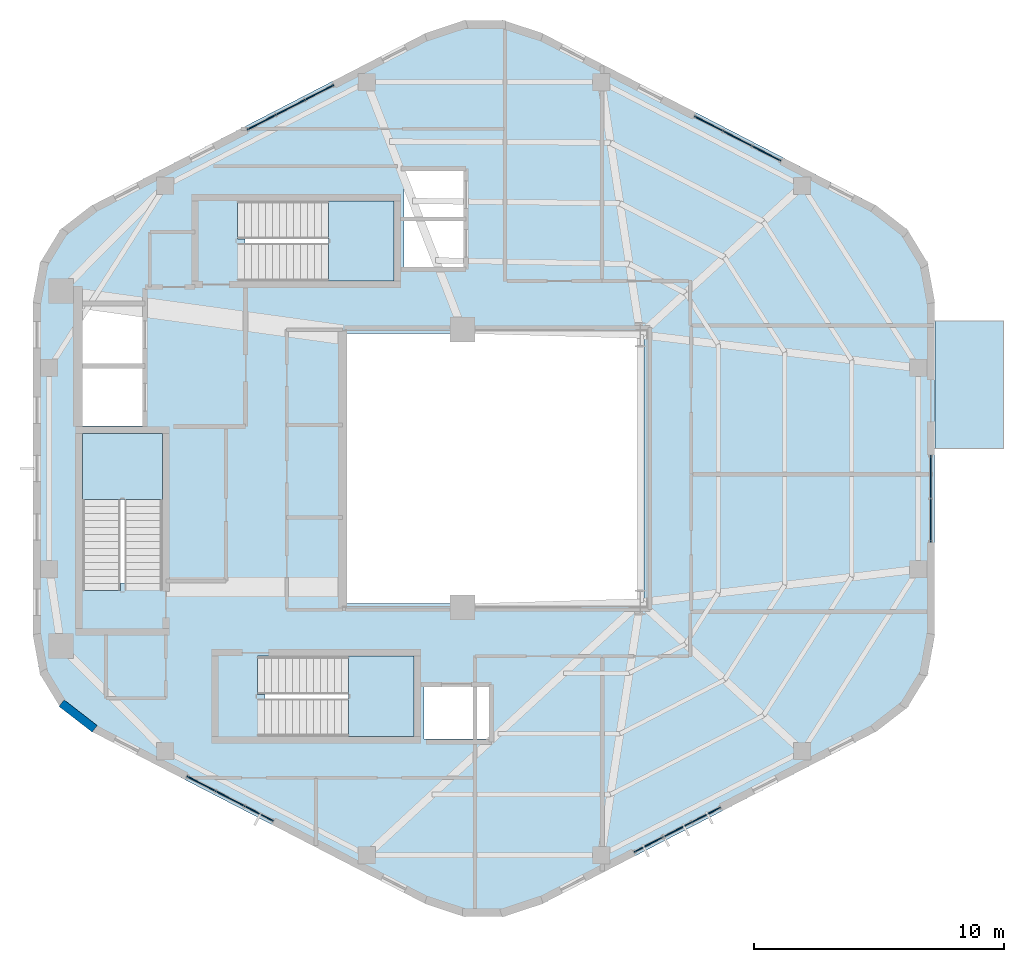
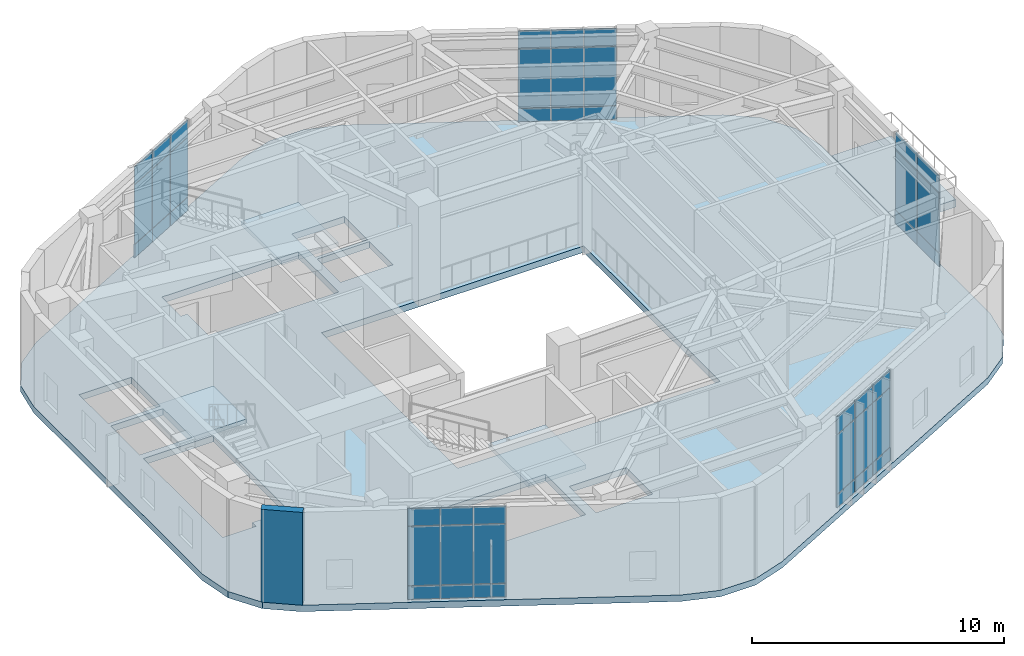
# One storey, part 13 of 19: 42 plates, 5 slabs, 1 wall, 8 elements without a shape of their own.
"""IFC4 building model written with IfcOpenShell, lengths in metres."""

from ifc_helpers import new_model, si_unit, direction, frame, frame_2d, origin, origin_2d, place, context, subcontext, project, spatial, polyline, rectangle, outline, extrude, material, layer, layer_set, type_object, element, aggregate, save


model = new_model("IFC4")

# Units and contexts
model_context = context("Model", 3, precision=1e-05, world=origin(), true_north=direction((0.0, 1.0)))
body_context = subcontext(model_context, "Body", "Model", "MODEL_VIEW")
ifc_project = project(units=[si_unit("LENGTHUNIT", "METRE"), si_unit("AREAUNIT", "SQUARE_METRE"), si_unit("VOLUMEUNIT", "CUBIC_METRE"), si_unit("PLANEANGLEUNIT", "RADIAN"), si_unit("MASSUNIT", "GRAM", prefix="KILO"), si_unit("THERMODYNAMICTEMPERATUREUNIT", "KELVIN"), si_unit("POWERUNIT", "WATT")], contexts=[model_context])

# Site, building, storey
site_placement = place(None, origin())
site = spatial("IfcSite", under=ifc_project, at=site_placement, CompositionType="ELEMENT")
building_placement = place(site_placement, origin())
building = spatial("IfcBuilding", under=site, at=building_placement, Name="Skarre Station Tower", CompositionType="ELEMENT")
storey_placement = place(building_placement, frame((0.0, 0.0, 275.10009765625)))
storey = spatial("IfcBuildingStorey", under=building, at=storey_placement, Name="L75", CompositionType="ELEMENT", Elevation=275.10009765625)

# Curtain wall, plates
ifc_material_1 = material(Name="Thermally Broken Bronze-Anodized Aluminium & Triple Low-E Glass", Category="aluminium")
ifc_layer_1 = layer(ifc_material_1, 0.219970703125, Name="Thermally Broken Bronze-Anodized Aluminium & Triple Low-E Glass")
ifc_layer_set_1 = layer_set([ifc_layer_1], Name="Thermally Broken Bronze-Anodized Aluminium & Triple Low-E Glass")
curtain_wall_type = type_object("IfcCurtainWallType", Name="Observation Deck Panorama Unitised Curtain Wall", PredefinedType="NOTDEFINED", material=ifc_layer_set_1)
curtain_wall_1_placement = place(storey_placement, origin())
curtain_wall_1 = element("IfcCurtainWall", 1, at=curtain_wall_1_placement, inside=storey, type_object=curtain_wall_type, Name="L75 Facet 0 Observatory Curtain Wall", PredefinedType="NOTDEFINED")
ifc_material_2 = material(Name="Insulated Bronze Anodized Aluminium Spandrel", Category="aluminium")
ifc_layer_2 = layer(ifc_material_2, 0.052001953125, Name="Insulated Bronze Anodized Aluminium Spandrel")
ifc_layer_set_2 = layer_set([ifc_layer_2], Name="Insulated Bronze Anodized Aluminium Spandrel")
plate_type_1 = type_object("IfcPlateType", Name="Bronze Insulated Spandrel Sheet Panel 52", PredefinedType="SHEET", material=ifc_layer_set_2)
plate_1_placement = place(storey_placement, frame((42.180908203125, 37.7890625, 0.0517578125), z_axis=(0.0, 0.0, 1.0), x_axis=(0.88848110948, -0.458913192332, 0.0)))
plate_1 = element("IfcPlate", 2, at=plate_1_placement, type_object=plate_type_1, Name="L75 Facet 0 Observatory Curtain Wall Spandrel Panel 1-1", PredefinedType="SHEET", context=body_context, shape_type="SweptSolid", body=[
    extrude(rectangle(XDim=1.282958984375, YDim=0.052001953125, at=origin_2d()), origin(), (0.0, 0.0, 1.0), 0.635986328125),
])
plate_2_placement = place(storey_placement, frame((43.341064453125, 37.18896484375, 0.0517578125), z_axis=(0.0, 0.0, 1.0), x_axis=(0.88848110948, -0.458913192332, 0.0)))
plate_2 = element("IfcPlate", 3, at=plate_2_placement, type_object=plate_type_1, Name="L75 Facet 0 Observatory Curtain Wall Spandrel Panel 2-1", PredefinedType="SHEET", context=body_context, shape_type="SweptSolid", body=[
    extrude(rectangle(XDim=1.282958984375, YDim=0.052001953125, at=origin_2d()), origin(), (0.0, 0.0, 1.0), 0.635986328125),
])
plate_3_placement = place(storey_placement, frame((44.501953125, 36.590087890625, 0.0517578125), z_axis=(0.0, 0.0, 1.0), x_axis=(0.88848110948, -0.458913192332, 0.0)))
plate_3 = element("IfcPlate", 4, at=plate_3_placement, type_object=plate_type_1, Name="L75 Facet 0 Observatory Curtain Wall Spandrel Panel 3-1", PredefinedType="SHEET", context=body_context, shape_type="SweptSolid", body=[
    extrude(rectangle(XDim=1.282958984375, YDim=0.052001953125, at=origin_2d()), origin(), (0.0, 0.0, 1.0), 0.635986328125),
])

curtain_wall_2_placement = place(storey_placement, origin())
curtain_wall_2 = element("IfcCurtainWall", 5, at=curtain_wall_2_placement, inside=storey, type_object=curtain_wall_type, Name="L75 Facet 1 Observatory Curtain Wall", PredefinedType="NOTDEFINED")
plate_4_placement = place(storey_placement, frame((24.30908203125, 37.8349609375, 0.0517578125), z_axis=(0.0, 0.0, 1.0), x_axis=(0.88848110948, 0.458913192332, 0.0)))
plate_4 = element("IfcPlate", 6, at=plate_4_placement, type_object=plate_type_1, Name="L75 Facet 1 Observatory Curtain Wall Spandrel Panel 1-1", PredefinedType="SHEET", context=body_context, shape_type="SweptSolid", body=[
    extrude(rectangle(XDim=1.282958984375, YDim=0.052001953125, at=origin_2d()), origin(), (0.0, 0.0, 1.0), 0.635986328125),
])
plate_5_placement = place(storey_placement, frame((25.470947265625, 38.43408203125, 0.0517578125), z_axis=(0.0, 0.0, 1.0), x_axis=(0.88848110948, 0.458913192332, 0.0)))
plate_5 = element("IfcPlate", 7, at=plate_5_placement, type_object=plate_type_1, Name="L75 Facet 1 Observatory Curtain Wall Spandrel Panel 2-1", PredefinedType="SHEET", context=body_context, shape_type="SweptSolid", body=[
    extrude(rectangle(XDim=1.282958984375, YDim=0.052001953125, at=origin_2d()), origin(), (0.0, 0.0, 1.0), 0.635986328125),
])
plate_6_placement = place(storey_placement, frame((26.631103515625, 39.033935546875, 0.0517578125), z_axis=(0.0, 0.0, 1.0), x_axis=(0.88848110948, 0.458913192332, 0.0)))
plate_6 = element("IfcPlate", 8, at=plate_6_placement, type_object=plate_type_1, Name="L75 Facet 1 Observatory Curtain Wall Spandrel Panel 3-1", PredefinedType="SHEET", context=body_context, shape_type="SweptSolid", body=[
    extrude(rectangle(XDim=1.282958984375, YDim=0.052001953125, at=origin_2d()), origin(), (0.0, 0.0, 1.0), 0.635986328125),
])

curtain_wall_3_placement = place(storey_placement, origin())
curtain_wall_3 = element("IfcCurtainWall", 9, at=curtain_wall_3_placement, inside=storey, type_object=curtain_wall_type, Name="L75 Facet 3 Observatory Curtain Wall", PredefinedType="NOTDEFINED")
plate_7_placement = place(storey_placement, frame((24.219970703125, 10.2109375, 0.0517578125), z_axis=(0.0, 0.0, 1.0), x_axis=(-0.88848110948, 0.458913192332, 0.0)))
plate_7 = element("IfcPlate", 10, at=plate_7_placement, type_object=plate_type_1, Name="L75 Facet 3 Observatory Curtain Wall Spandrel Panel 1-1", PredefinedType="SHEET", context=body_context, shape_type="SweptSolid", body=[
    extrude(rectangle(XDim=1.282958984375, YDim=0.052001953125, at=origin_2d()), origin(), (0.0, 0.0, 1.0), 0.635986328125),
])
plate_8_placement = place(storey_placement, frame((23.05908203125, 10.81103515625, 0.0517578125), z_axis=(0.0, 0.0, 1.0), x_axis=(-0.88848110948, 0.458913192332, 0.0)))
plate_8 = element("IfcPlate", 11, at=plate_8_placement, type_object=plate_type_1, Name="L75 Facet 3 Observatory Curtain Wall Spandrel Panel 2-1", PredefinedType="SHEET", context=body_context, shape_type="SweptSolid", body=[
    extrude(rectangle(XDim=1.282958984375, YDim=0.052001953125, at=origin_2d()), origin(), (0.0, 0.0, 1.0), 0.635986328125),
])
plate_9_placement = place(storey_placement, frame((21.89794921875, 11.409912109375, 0.0517578125), z_axis=(0.0, 0.0, 1.0), x_axis=(-0.88848110948, 0.458913192332, 0.0)))
plate_9 = element("IfcPlate", 12, at=plate_9_placement, type_object=plate_type_1, Name="L75 Facet 3 Observatory Curtain Wall Spandrel Panel 3-1", PredefinedType="SHEET", context=body_context, shape_type="SweptSolid", body=[
    extrude(rectangle(XDim=1.282958984375, YDim=0.052001953125, at=origin_2d()), origin(), (0.0, 0.0, 1.0), 0.635986328125),
])

curtain_wall_4_placement = place(storey_placement, origin())
curtain_wall_4 = element("IfcCurtainWall", 13, at=curtain_wall_4_placement, inside=storey, type_object=curtain_wall_type, Name="L75 Facet 4 Observatory Curtain Wall", PredefinedType="NOTDEFINED")
plate_10_placement = place(storey_placement, frame((42.090087890625, 10.1650390625, 0.0517578125), z_axis=(0.0, 0.0, 1.0), x_axis=(-0.88848110948, -0.458913192332, 0.0)))
plate_10 = element("IfcPlate", 14, at=plate_10_placement, type_object=plate_type_1, Name="L75 Facet 4 Observatory Curtain Wall Spandrel Panel 1-1", PredefinedType="SHEET", context=body_context, shape_type="SweptSolid", body=[
    extrude(rectangle(XDim=1.282958984375, YDim=0.052001953125, at=origin_2d()), origin(), (0.0, 0.0, 1.0), 0.635986328125),
])
plate_11_placement = place(storey_placement, frame((40.929931640625, 9.56591796875, 0.0517578125), z_axis=(0.0, 0.0, 1.0), x_axis=(-0.88848110948, -0.458913192332, 0.0)))
plate_11 = element("IfcPlate", 15, at=plate_11_placement, type_object=plate_type_1, Name="L75 Facet 4 Observatory Curtain Wall Spandrel Panel 2-1", PredefinedType="SHEET", context=body_context, shape_type="SweptSolid", body=[
    extrude(rectangle(XDim=1.282958984375, YDim=0.052001953125, at=origin_2d()), origin(), (0.0, 0.0, 1.0), 0.635986328125),
])
plate_12_placement = place(storey_placement, frame((39.76904296875, 8.966064453125, 0.0517578125), z_axis=(0.0, 0.0, 1.0), x_axis=(-0.88848110948, -0.458913192332, 0.0)))
plate_12 = element("IfcPlate", 16, at=plate_12_placement, type_object=plate_type_1, Name="L75 Facet 4 Observatory Curtain Wall Spandrel Panel 3-1", PredefinedType="SHEET", context=body_context, shape_type="SweptSolid", body=[
    extrude(rectangle(XDim=1.282958984375, YDim=0.052001953125, at=origin_2d()), origin(), (0.0, 0.0, 1.0), 0.635986328125),
])

curtain_wall_5_placement = place(storey_placement, origin())
curtain_wall_5 = element("IfcCurtainWall", 17, at=curtain_wall_5_placement, inside=storey, type_object=curtain_wall_type, Name="L75 Facet 5 Observatory Curtain Wall", PredefinedType="NOTDEFINED")
plate_13_placement = place(storey_placement, frame((51.05810546875, 23.6650390625, 0.0517578125), z_axis=(0.0, 0.0, 1.0), x_axis=(0.0, -1.0, 0.0)))
plate_13 = element("IfcPlate", 18, at=plate_13_placement, type_object=plate_type_1, Name="L75 Facet 5 Observatory Curtain Wall Spandrel Panel 1-1", PredefinedType="SHEET", context=body_context, shape_type="SweptSolid", body=[
    extrude(rectangle(XDim=1.718994140625, YDim=0.052001953125, at=origin_2d()), origin(), (0.0, 0.0, 1.0), 0.635986328125),
])
plate_14_placement = place(storey_placement, frame((51.05810546875, 21.922119140625, 0.0517578125), z_axis=(0.0, 0.0, 1.0), x_axis=(0.0, -1.0, 0.0)))
plate_14 = element("IfcPlate", 19, at=plate_14_placement, type_object=plate_type_1, Name="L75 Facet 5 Observatory Curtain Wall Spandrel Panel 2-1", PredefinedType="SHEET", context=body_context, shape_type="SweptSolid", body=[
    extrude(rectangle(XDim=1.718994140625, YDim=0.052001953125, at=origin_2d()), origin(), (0.0, 0.0, 1.0), 0.635986328125),
])

# Slab
ifc_material_3 = material(Name="Concrete C50/60", Category="concrete")
ifc_layer_3 = layer(ifc_material_3, 0.31005859375, Name="Concrete C50/60")
ifc_layer_set_3 = layer_set([ifc_layer_3], Name="Concrete C50/60")
slab_type_1 = type_object("IfcSlabType", Name="Podium & Plant Structural Slab 310", PredefinedType="FLOOR", material=ifc_layer_set_3)
slab_1_placement = place(storey_placement, frame((0.0, 0.0, -0.31005859375)))
element("IfcSlab", 20, at=slab_1_placement, inside=storey, type_object=slab_type_1, Name="L75 Zone 4 Structural Floor Slab", PredefinedType="FLOOR", context=body_context, shape_type="SweptSolid", body=[
    extrude(outline(polyline([(51.212890625, 30.701904296875), (50.93310546875, 32.222900390625), (50.1279296875, 33.544921875), (48.905029296875, 34.491943359375), (35.508056640625, 41.407958984375), (33.99609375, 41.906005859375), (32.404052734375, 41.906005859375), (30.89208984375, 41.407958984375), (17.4951171875, 34.491943359375), (16.27197265625, 33.544921875), (15.467041015625, 32.222900390625), (15.18701171875, 30.701904296875), (15.18701171875, 17.298095703125), (15.467041015625, 15.777099609375), (16.27197265625, 14.455078125), (17.4951171875, 13.508056640625), (30.89208984375, 6.592041015625), (32.404052734375, 6.093994140625), (33.99609375, 6.093994140625), (35.508056640625, 6.592041015625), (48.905029296875, 13.508056640625), (50.1279296875, 14.455078125), (50.93310546875, 15.777099609375), (51.212890625, 17.298095703125), (51.212890625, 30.701904296875)]), holes=[polyline([(18.669921875, 19.419921875), (18.669921875, 19.123046875), (17.14990234375, 19.123046875), (17.14990234375, 25.39990234375), (20.35009765625, 25.39990234375), (20.35009765625, 19.419921875), (18.669921875, 19.419921875)]), polyline([(24.449951171875, 14.97998046875), (24.153076171875, 14.97998046875), (24.153076171875, 16.5), (30.39990234375, 16.5), (30.39990234375, 13.300048828125), (24.449951171875, 13.300048828125), (24.449951171875, 14.97998046875)]), polyline([(23.64990234375, 33.179931640625), (23.35302734375, 33.179931640625), (23.35302734375, 34.699951171875), (29.60009765625, 34.699951171875), (29.60009765625, 31.5), (23.64990234375, 31.5), (23.64990234375, 33.179931640625)]), polyline([(17.14990234375, 28.0), (19.550048828125, 28.0), (19.550048828125, 25.699951171875), (17.14990234375, 25.699951171875), (17.14990234375, 28.0)]), polyline([(17.14990234375, 30.5), (19.550048828125, 30.5), (19.550048828125, 28.199951171875), (17.14990234375, 28.199951171875), (17.14990234375, 30.5)]), polyline([(30.800048828125, 15.300048828125), (33.39990234375, 15.300048828125), (33.39990234375, 13.199951171875), (30.800048828125, 13.199951171875), (30.800048828125, 15.300048828125)]), polyline([(30.0, 33.89990234375), (32.39990234375, 33.89990234375), (32.39990234375, 32.050048828125), (30.0, 32.050048828125), (30.0, 33.89990234375)]), polyline([(30.0, 35.89990234375), (32.39990234375, 35.89990234375), (32.39990234375, 34.050048828125), (30.0, 34.050048828125), (30.0, 35.89990234375)]), polyline([(27.60009765625, 29.39990234375), (39.60009765625, 29.39990234375), (39.60009765625, 18.60009765625), (27.60009765625, 18.60009765625), (27.60009765625, 29.39990234375)])]), origin(), (0.0, 0.0, 1.0), 0.31005859375),
])

# Stair, slab
ifc_material_4 = material(Name="Concrete C40/50", Category="concrete")
stair_type_1 = type_object("IfcStairType", Name="Reinforced Concrete Exit Stair ST-1", PredefinedType="HALF_TURN_STAIR", material=ifc_material_4)
stair_1_placement = place(storey_placement, origin())
stair_1 = element("IfcStair", 21, at=stair_1_placement, inside=storey, type_object=stair_type_1, Name="L75 Core Exit Stair ST-1", PredefinedType="HALF_TURN_STAIR")
ifc_layer_4 = layer(ifc_material_4, 0.219970703125, Name="Concrete C40/50")
ifc_layer_set_4 = layer_set([ifc_layer_4], Name="Concrete C40/50")
slab_type_2 = type_object("IfcSlabType", Name="Reinforced Concrete Stair & Ramp Landing 220", PredefinedType="LANDING", material=ifc_layer_set_4)
slab_2_placement = place(storey_placement, frame((0.0, 0.0, 2.199951171875)))
slab_2 = element("IfcSlab", 22, at=slab_2_placement, type_object=slab_type_2, Name="ST-1 landing 1", PredefinedType="LANDING", context=body_context, shape_type="SweptSolid", body=[
    extrude(outline(polyline([(20.35009765625, 22.760009765625), (20.35009765625, 25.39990234375), (17.14990234375, 25.39990234375), (17.14990234375, 22.760009765625), (20.35009765625, 22.760009765625)])), origin(), (0.0, 0.0, 1.0), 0.199951171875),
])
aggregate(stair_1, [slab_2])

stair_type_2 = type_object("IfcStairType", Name="Reinforced Concrete Exit Stair ST-2", PredefinedType="HALF_TURN_STAIR", material=ifc_material_4)
stair_2_placement = place(storey_placement, origin())
stair_2 = element("IfcStair", 23, at=stair_2_placement, inside=storey, type_object=stair_type_2, Name="L75 Core Exit Stair ST-2", PredefinedType="HALF_TURN_STAIR")
slab_3_placement = place(storey_placement, frame((0.0, 0.0, 2.199951171875)))
slab_3 = element("IfcSlab", 24, at=slab_3_placement, type_object=slab_type_2, Name="ST-2 landing 1", PredefinedType="LANDING", context=body_context, shape_type="SweptSolid", body=[
    extrude(outline(polyline([(27.7900390625, 13.300048828125), (30.39990234375, 13.300048828125), (30.39990234375, 16.5), (27.7900390625, 16.5), (27.7900390625, 13.300048828125)])), origin(), (0.0, 0.0, 1.0), 0.199951171875),
])
aggregate(stair_2, [slab_3])

stair_type_3 = type_object("IfcStairType", Name="Reinforced Concrete Exit Stair ST-3", PredefinedType="HALF_TURN_STAIR", material=ifc_material_4)
stair_3_placement = place(storey_placement, origin())
stair_3 = element("IfcStair", 25, at=stair_3_placement, inside=storey, type_object=stair_type_3, Name="L75 Core Exit Stair ST-3", PredefinedType="HALF_TURN_STAIR")
slab_4_placement = place(storey_placement, frame((0.0, 0.0, 2.199951171875)))
slab_4 = element("IfcSlab", 26, at=slab_4_placement, type_object=slab_type_2, Name="ST-3 landing 1", PredefinedType="LANDING", context=body_context, shape_type="SweptSolid", body=[
    extrude(outline(polyline([(26.989990234375, 31.5), (29.60009765625, 31.5), (29.60009765625, 34.699951171875), (26.989990234375, 34.699951171875), (26.989990234375, 31.5)])), origin(), (0.0, 0.0, 1.0), 0.199951171875),
])
aggregate(stair_3, [slab_4])

# Slab
ifc_layer_5 = layer(ifc_material_3, 0.419921875, Name="Concrete C50/60")
ifc_layer_set_5 = layer_set([ifc_layer_5], Name="Concrete C50/60")
slab_type_3 = type_object("IfcSlabType", Name="Sky-Garden & Lookout Terrace Slab 360", PredefinedType="FLOOR", material=ifc_layer_set_5)
slab_5_placement = place(storey_placement, frame((0.0, 0.0, -0.360107421875)))
element("IfcSlab", 27, at=slab_5_placement, inside=storey, type_object=slab_type_3, Name="L75 Open Observation Lookout Terrace Deck", PredefinedType="FLOOR", context=body_context, shape_type="SweptSolid", body=[
    extrude(outline(polyline([(51.222900390625, 29.89794921875), (51.222900390625, 24.803955078125), (53.962890625, 24.803955078125), (53.962890625, 29.89794921875), (51.222900390625, 29.89794921875)])), origin(), (0.0, 0.0, 1.0), 0.360107421875),
])

# Plate
ifc_material_5 = material(Name="Low-Iron Triple Insulating Glass Unit", Category="glass")
ifc_layer_6 = layer(ifc_material_5, 0.0439453125, Name="Low-Iron Triple Insulating Glass Unit")
ifc_layer_set_6 = layer_set([ifc_layer_6], Name="Low-Iron Triple Insulating Glass Unit")
plate_type_2 = type_object("IfcPlateType", Name="Triple-Glazed Vision Curtain Panel 44", PredefinedType="CURTAIN_PANEL", material=ifc_layer_set_6)
plate_15_placement = place(storey_placement, frame((42.180908203125, 37.7890625, 0.7119140625), z_axis=(0.0, 0.0, 1.0), x_axis=(0.88848110948, -0.458913192332, 0.0)))
plate_15 = element("IfcPlate", 28, at=plate_15_placement, type_object=plate_type_2, Name="L75 Facet 0 Observatory Curtain Wall Vision Panel 1-2", PredefinedType="CURTAIN_PANEL", context=body_context, shape_type="SweptSolid", body=[
    extrude(rectangle(XDim=1.282958984375, YDim=0.0439453125, at=origin_2d()), origin(), (0.0, 0.0, 1.0), 2.865966796875),
])

plate_16_placement = place(storey_placement, frame((42.180908203125, 37.7890625, 3.60205078125), z_axis=(0.0, 0.0, 1.0), x_axis=(0.88848110948, -0.458913192332, 0.0)))
plate_16 = element("IfcPlate", 29, at=plate_16_placement, type_object=plate_type_2, Name="L75 Facet 0 Observatory Curtain Wall Vision Panel 1-3", PredefinedType="CURTAIN_PANEL", context=body_context, shape_type="SweptSolid", body=[
    extrude(rectangle(XDim=1.282958984375, YDim=0.0439453125, at=origin_2d()), origin(), (0.0, 0.0, 1.0), 0.8359375),
])

plate_17_placement = place(storey_placement, frame((43.341064453125, 37.18896484375, 0.7119140625), z_axis=(0.0, 0.0, 1.0), x_axis=(0.88848110948, -0.458913192332, 0.0)))
plate_17 = element("IfcPlate", 30, at=plate_17_placement, type_object=plate_type_2, Name="L75 Facet 0 Observatory Curtain Wall Vision Panel 2-2", PredefinedType="CURTAIN_PANEL", context=body_context, shape_type="SweptSolid", body=[
    extrude(rectangle(XDim=1.282958984375, YDim=0.0439453125, at=origin_2d()), origin(), (0.0, 0.0, 1.0), 2.865966796875),
])

plate_18_placement = place(storey_placement, frame((43.341064453125, 37.18896484375, 3.60205078125), z_axis=(0.0, 0.0, 1.0), x_axis=(0.88848110948, -0.458913192332, 0.0)))
plate_18 = element("IfcPlate", 31, at=plate_18_placement, type_object=plate_type_2, Name="L75 Facet 0 Observatory Curtain Wall Vision Panel 2-3", PredefinedType="CURTAIN_PANEL", context=body_context, shape_type="SweptSolid", body=[
    extrude(rectangle(XDim=1.282958984375, YDim=0.0439453125, at=origin_2d()), origin(), (0.0, 0.0, 1.0), 0.8359375),
])

plate_19_placement = place(storey_placement, frame((44.501953125, 36.590087890625, 0.7119140625), z_axis=(0.0, 0.0, 1.0), x_axis=(0.88848110948, -0.458913192332, 0.0)))
plate_19 = element("IfcPlate", 32, at=plate_19_placement, type_object=plate_type_2, Name="L75 Facet 0 Observatory Curtain Wall Vision Panel 3-2", PredefinedType="CURTAIN_PANEL", context=body_context, shape_type="SweptSolid", body=[
    extrude(rectangle(XDim=1.282958984375, YDim=0.0439453125, at=origin_2d()), origin(), (0.0, 0.0, 1.0), 2.865966796875),
])

plate_20_placement = place(storey_placement, frame((44.501953125, 36.590087890625, 3.60205078125), z_axis=(0.0, 0.0, 1.0), x_axis=(0.88848110948, -0.458913192332, 0.0)))
plate_20 = element("IfcPlate", 33, at=plate_20_placement, type_object=plate_type_2, Name="L75 Facet 0 Observatory Curtain Wall Vision Panel 3-3", PredefinedType="CURTAIN_PANEL", context=body_context, shape_type="SweptSolid", body=[
    extrude(rectangle(XDim=1.282958984375, YDim=0.0439453125, at=origin_2d()), origin(), (0.0, 0.0, 1.0), 0.8359375),
])

aggregate(curtain_wall_1, [plate_1, plate_15, plate_16, plate_2, plate_17, plate_18, plate_3, plate_19, plate_20])

plate_21_placement = place(storey_placement, frame((24.30908203125, 37.8349609375, 0.7119140625), z_axis=(0.0, 0.0, 1.0), x_axis=(0.88848110948, 0.458913192332, 0.0)))
plate_21 = element("IfcPlate", 34, at=plate_21_placement, type_object=plate_type_2, Name="L75 Facet 1 Observatory Curtain Wall Vision Panel 1-2", PredefinedType="CURTAIN_PANEL", context=body_context, shape_type="SweptSolid", body=[
    extrude(rectangle(XDim=1.282958984375, YDim=0.0439453125, at=origin_2d()), origin(), (0.0, 0.0, 1.0), 2.865966796875),
])

plate_22_placement = place(storey_placement, frame((24.30908203125, 37.8349609375, 3.60205078125), z_axis=(0.0, 0.0, 1.0), x_axis=(0.88848110948, 0.458913192332, 0.0)))
plate_22 = element("IfcPlate", 35, at=plate_22_placement, type_object=plate_type_2, Name="L75 Facet 1 Observatory Curtain Wall Vision Panel 1-3", PredefinedType="CURTAIN_PANEL", context=body_context, shape_type="SweptSolid", body=[
    extrude(rectangle(XDim=1.282958984375, YDim=0.0439453125, at=origin_2d()), origin(), (0.0, 0.0, 1.0), 0.8359375),
])

plate_23_placement = place(storey_placement, frame((25.470947265625, 38.43408203125, 0.7119140625), z_axis=(0.0, 0.0, 1.0), x_axis=(0.88848110948, 0.458913192332, 0.0)))
plate_23 = element("IfcPlate", 36, at=plate_23_placement, type_object=plate_type_2, Name="L75 Facet 1 Observatory Curtain Wall Vision Panel 2-2", PredefinedType="CURTAIN_PANEL", context=body_context, shape_type="SweptSolid", body=[
    extrude(rectangle(XDim=1.282958984375, YDim=0.0439453125, at=origin_2d()), origin(), (0.0, 0.0, 1.0), 2.865966796875),
])

plate_24_placement = place(storey_placement, frame((25.470947265625, 38.43408203125, 3.60205078125), z_axis=(0.0, 0.0, 1.0), x_axis=(0.88848110948, 0.458913192332, 0.0)))
plate_24 = element("IfcPlate", 37, at=plate_24_placement, type_object=plate_type_2, Name="L75 Facet 1 Observatory Curtain Wall Vision Panel 2-3", PredefinedType="CURTAIN_PANEL", context=body_context, shape_type="SweptSolid", body=[
    extrude(rectangle(XDim=1.282958984375, YDim=0.0439453125, at=origin_2d()), origin(), (0.0, 0.0, 1.0), 0.8359375),
])

plate_25_placement = place(storey_placement, frame((26.631103515625, 39.033935546875, 0.7119140625), z_axis=(0.0, 0.0, 1.0), x_axis=(0.88848110948, 0.458913192332, 0.0)))
plate_25 = element("IfcPlate", 38, at=plate_25_placement, type_object=plate_type_2, Name="L75 Facet 1 Observatory Curtain Wall Vision Panel 3-2", PredefinedType="CURTAIN_PANEL", context=body_context, shape_type="SweptSolid", body=[
    extrude(rectangle(XDim=1.282958984375, YDim=0.0439453125, at=origin_2d()), origin(), (0.0, 0.0, 1.0), 2.865966796875),
])

plate_26_placement = place(storey_placement, frame((26.631103515625, 39.033935546875, 3.60205078125), z_axis=(0.0, 0.0, 1.0), x_axis=(0.88848110948, 0.458913192332, 0.0)))
plate_26 = element("IfcPlate", 39, at=plate_26_placement, type_object=plate_type_2, Name="L75 Facet 1 Observatory Curtain Wall Vision Panel 3-3", PredefinedType="CURTAIN_PANEL", context=body_context, shape_type="SweptSolid", body=[
    extrude(rectangle(XDim=1.282958984375, YDim=0.0439453125, at=origin_2d()), origin(), (0.0, 0.0, 1.0), 0.8359375),
])

aggregate(curtain_wall_2, [plate_4, plate_21, plate_22, plate_5, plate_23, plate_24, plate_6, plate_25, plate_26])

plate_27_placement = place(storey_placement, frame((24.219970703125, 10.2109375, 0.7119140625), z_axis=(0.0, 0.0, 1.0), x_axis=(-0.88848110948, 0.458913192332, 0.0)))
plate_27 = element("IfcPlate", 40, at=plate_27_placement, type_object=plate_type_2, Name="L75 Facet 3 Observatory Curtain Wall Vision Panel 1-2", PredefinedType="CURTAIN_PANEL", context=body_context, shape_type="SweptSolid", body=[
    extrude(rectangle(XDim=1.282958984375, YDim=0.0439453125, at=origin_2d()), origin(), (0.0, 0.0, 1.0), 2.865966796875),
])

plate_28_placement = place(storey_placement, frame((24.219970703125, 10.2109375, 3.60205078125), z_axis=(0.0, 0.0, 1.0), x_axis=(-0.88848110948, 0.458913192332, 0.0)))
plate_28 = element("IfcPlate", 41, at=plate_28_placement, type_object=plate_type_2, Name="L75 Facet 3 Observatory Curtain Wall Vision Panel 1-3", PredefinedType="CURTAIN_PANEL", context=body_context, shape_type="SweptSolid", body=[
    extrude(rectangle(XDim=1.282958984375, YDim=0.0439453125, at=origin_2d()), origin(), (0.0, 0.0, 1.0), 0.8359375),
])

plate_29_placement = place(storey_placement, frame((23.05908203125, 10.81103515625, 0.7119140625), z_axis=(0.0, 0.0, 1.0), x_axis=(-0.88848110948, 0.458913192332, 0.0)))
plate_29 = element("IfcPlate", 42, at=plate_29_placement, type_object=plate_type_2, Name="L75 Facet 3 Observatory Curtain Wall Vision Panel 2-2", PredefinedType="CURTAIN_PANEL", context=body_context, shape_type="SweptSolid", body=[
    extrude(rectangle(XDim=1.282958984375, YDim=0.0439453125, at=origin_2d()), origin(), (0.0, 0.0, 1.0), 2.865966796875),
])

plate_30_placement = place(storey_placement, frame((23.05908203125, 10.81103515625, 3.60205078125), z_axis=(0.0, 0.0, 1.0), x_axis=(-0.88848110948, 0.458913192332, 0.0)))
plate_30 = element("IfcPlate", 43, at=plate_30_placement, type_object=plate_type_2, Name="L75 Facet 3 Observatory Curtain Wall Vision Panel 2-3", PredefinedType="CURTAIN_PANEL", context=body_context, shape_type="SweptSolid", body=[
    extrude(rectangle(XDim=1.282958984375, YDim=0.0439453125, at=origin_2d()), origin(), (0.0, 0.0, 1.0), 0.8359375),
])

plate_31_placement = place(storey_placement, frame((21.89794921875, 11.409912109375, 0.7119140625), z_axis=(0.0, 0.0, 1.0), x_axis=(-0.88848110948, 0.458913192332, 0.0)))
plate_31 = element("IfcPlate", 44, at=plate_31_placement, type_object=plate_type_2, Name="L75 Facet 3 Observatory Curtain Wall Vision Panel 3-2", PredefinedType="CURTAIN_PANEL", context=body_context, shape_type="SweptSolid", body=[
    extrude(rectangle(XDim=1.282958984375, YDim=0.0439453125, at=origin_2d()), origin(), (0.0, 0.0, 1.0), 2.865966796875),
])

plate_32_placement = place(storey_placement, frame((21.89794921875, 11.409912109375, 3.60205078125), z_axis=(0.0, 0.0, 1.0), x_axis=(-0.88848110948, 0.458913192332, 0.0)))
plate_32 = element("IfcPlate", 45, at=plate_32_placement, type_object=plate_type_2, Name="L75 Facet 3 Observatory Curtain Wall Vision Panel 3-3", PredefinedType="CURTAIN_PANEL", context=body_context, shape_type="SweptSolid", body=[
    extrude(rectangle(XDim=1.282958984375, YDim=0.0439453125, at=origin_2d()), origin(), (0.0, 0.0, 1.0), 0.8359375),
])

aggregate(curtain_wall_3, [plate_7, plate_27, plate_28, plate_8, plate_29, plate_30, plate_9, plate_31, plate_32])

plate_33_placement = place(storey_placement, frame((42.090087890625, 10.1650390625, 0.7119140625), z_axis=(0.0, 0.0, 1.0), x_axis=(-0.88848110948, -0.458913192332, 0.0)))
plate_33 = element("IfcPlate", 46, at=plate_33_placement, type_object=plate_type_2, Name="L75 Facet 4 Observatory Curtain Wall Vision Panel 1-2", PredefinedType="CURTAIN_PANEL", context=body_context, shape_type="SweptSolid", body=[
    extrude(rectangle(XDim=1.282958984375, YDim=0.0439453125, at=origin_2d()), origin(), (0.0, 0.0, 1.0), 2.865966796875),
])

plate_34_placement = place(storey_placement, frame((42.090087890625, 10.1650390625, 3.60205078125), z_axis=(0.0, 0.0, 1.0), x_axis=(-0.88848110948, -0.458913192332, 0.0)))
plate_34 = element("IfcPlate", 47, at=plate_34_placement, type_object=plate_type_2, Name="L75 Facet 4 Observatory Curtain Wall Vision Panel 1-3", PredefinedType="CURTAIN_PANEL", context=body_context, shape_type="SweptSolid", body=[
    extrude(rectangle(XDim=1.282958984375, YDim=0.0439453125, at=origin_2d()), origin(), (0.0, 0.0, 1.0), 0.8359375),
])

plate_35_placement = place(storey_placement, frame((40.929931640625, 9.56591796875, 0.7119140625), z_axis=(0.0, 0.0, 1.0), x_axis=(-0.88848110948, -0.458913192332, 0.0)))
plate_35 = element("IfcPlate", 48, at=plate_35_placement, type_object=plate_type_2, Name="L75 Facet 4 Observatory Curtain Wall Vision Panel 2-2", PredefinedType="CURTAIN_PANEL", context=body_context, shape_type="SweptSolid", body=[
    extrude(rectangle(XDim=1.282958984375, YDim=0.0439453125, at=origin_2d()), origin(), (0.0, 0.0, 1.0), 2.865966796875),
])

plate_36_placement = place(storey_placement, frame((40.929931640625, 9.56591796875, 3.60205078125), z_axis=(0.0, 0.0, 1.0), x_axis=(-0.88848110948, -0.458913192332, 0.0)))
plate_36 = element("IfcPlate", 49, at=plate_36_placement, type_object=plate_type_2, Name="L75 Facet 4 Observatory Curtain Wall Vision Panel 2-3", PredefinedType="CURTAIN_PANEL", context=body_context, shape_type="SweptSolid", body=[
    extrude(rectangle(XDim=1.282958984375, YDim=0.0439453125, at=origin_2d()), origin(), (0.0, 0.0, 1.0), 0.8359375),
])

plate_37_placement = place(storey_placement, frame((39.76904296875, 8.966064453125, 0.7119140625), z_axis=(0.0, 0.0, 1.0), x_axis=(-0.88848110948, -0.458913192332, 0.0)))
plate_37 = element("IfcPlate", 50, at=plate_37_placement, type_object=plate_type_2, Name="L75 Facet 4 Observatory Curtain Wall Vision Panel 3-2", PredefinedType="CURTAIN_PANEL", context=body_context, shape_type="SweptSolid", body=[
    extrude(rectangle(XDim=1.282958984375, YDim=0.0439453125, at=origin_2d()), origin(), (0.0, 0.0, 1.0), 2.865966796875),
])

plate_38_placement = place(storey_placement, frame((39.76904296875, 8.966064453125, 3.60205078125), z_axis=(0.0, 0.0, 1.0), x_axis=(-0.88848110948, -0.458913192332, 0.0)))
plate_38 = element("IfcPlate", 51, at=plate_38_placement, type_object=plate_type_2, Name="L75 Facet 4 Observatory Curtain Wall Vision Panel 3-3", PredefinedType="CURTAIN_PANEL", context=body_context, shape_type="SweptSolid", body=[
    extrude(rectangle(XDim=1.282958984375, YDim=0.0439453125, at=origin_2d()), origin(), (0.0, 0.0, 1.0), 0.8359375),
])

aggregate(curtain_wall_4, [plate_10, plate_33, plate_34, plate_11, plate_35, plate_36, plate_12, plate_37, plate_38])

plate_39_placement = place(storey_placement, frame((51.05810546875, 23.6650390625, 0.7119140625), z_axis=(0.0, 0.0, 1.0), x_axis=(0.0, -1.0, 0.0)))
plate_39 = element("IfcPlate", 52, at=plate_39_placement, type_object=plate_type_2, Name="L75 Facet 5 Observatory Curtain Wall Vision Panel 1-2", PredefinedType="CURTAIN_PANEL", context=body_context, shape_type="SweptSolid", body=[
    extrude(rectangle(XDim=1.718994140625, YDim=0.0439453125, at=origin_2d()), origin(), (0.0, 0.0, 1.0), 2.865966796875),
])

plate_40_placement = place(storey_placement, frame((51.05810546875, 23.6650390625, 3.60205078125), z_axis=(0.0, 0.0, 1.0), x_axis=(0.0, -1.0, 0.0)))
plate_40 = element("IfcPlate", 53, at=plate_40_placement, type_object=plate_type_2, Name="L75 Facet 5 Observatory Curtain Wall Vision Panel 1-3", PredefinedType="CURTAIN_PANEL", context=body_context, shape_type="SweptSolid", body=[
    extrude(rectangle(XDim=1.718994140625, YDim=0.0439453125, at=origin_2d()), origin(), (0.0, 0.0, 1.0), 0.8359375),
])

plate_41_placement = place(storey_placement, frame((51.05810546875, 21.922119140625, 0.7119140625), z_axis=(0.0, 0.0, 1.0), x_axis=(0.0, -1.0, 0.0)))
plate_41 = element("IfcPlate", 54, at=plate_41_placement, type_object=plate_type_2, Name="L75 Facet 5 Observatory Curtain Wall Vision Panel 2-2", PredefinedType="CURTAIN_PANEL", context=body_context, shape_type="SweptSolid", body=[
    extrude(rectangle(XDim=1.718994140625, YDim=0.0439453125, at=origin_2d()), origin(), (0.0, 0.0, 1.0), 2.865966796875),
])

plate_42_placement = place(storey_placement, frame((51.05810546875, 21.922119140625, 3.60205078125), z_axis=(0.0, 0.0, 1.0), x_axis=(0.0, -1.0, 0.0)))
plate_42 = element("IfcPlate", 55, at=plate_42_placement, type_object=plate_type_2, Name="L75 Facet 5 Observatory Curtain Wall Vision Panel 2-3", PredefinedType="CURTAIN_PANEL", context=body_context, shape_type="SweptSolid", body=[
    extrude(rectangle(XDim=1.718994140625, YDim=0.0439453125, at=origin_2d()), origin(), (0.0, 0.0, 1.0), 0.8359375),
])

aggregate(curtain_wall_5, [plate_13, plate_39, plate_40, plate_14, plate_41, plate_42])

# Wall
ifc_material_6 = material(Name="Precast concrete C45/55", Category="concrete")
ifc_layer_7 = layer(ifc_material_6, 0.330078125, Name="Precast concrete C45/55")
ifc_layer_set_7 = layer_set([ifc_layer_7], Name="Precast concrete C45/55")
wall_type = type_object("IfcWallType", Name="Nordic Rounded Corner Precast Wall 330", PredefinedType="STANDARD", material=ifc_layer_set_7)
wall_placement = place(storey_placement, frame((17.64697265625, 13.59912109375, 0.0), z_axis=(0.0, 0.0, 1.0), x_axis=(-0.790691856293, 0.61221433207, 0.0)))
element("IfcWall", 56, at=wall_placement, inside=storey, type_object=wall_type, Name="L75 Rounded Corner Precast Wall F3-1", PredefinedType="STANDARD", context=body_context, shape_type="SweptSolid", body=[
    extrude(rectangle(XDim=1.67578125, YDim=0.330078125, at=frame_2d((0.837890625, 0.0))), origin(), (0.0, 0.0, 1.0), 4.489990234375),
])

save(model, "model.ifc")
